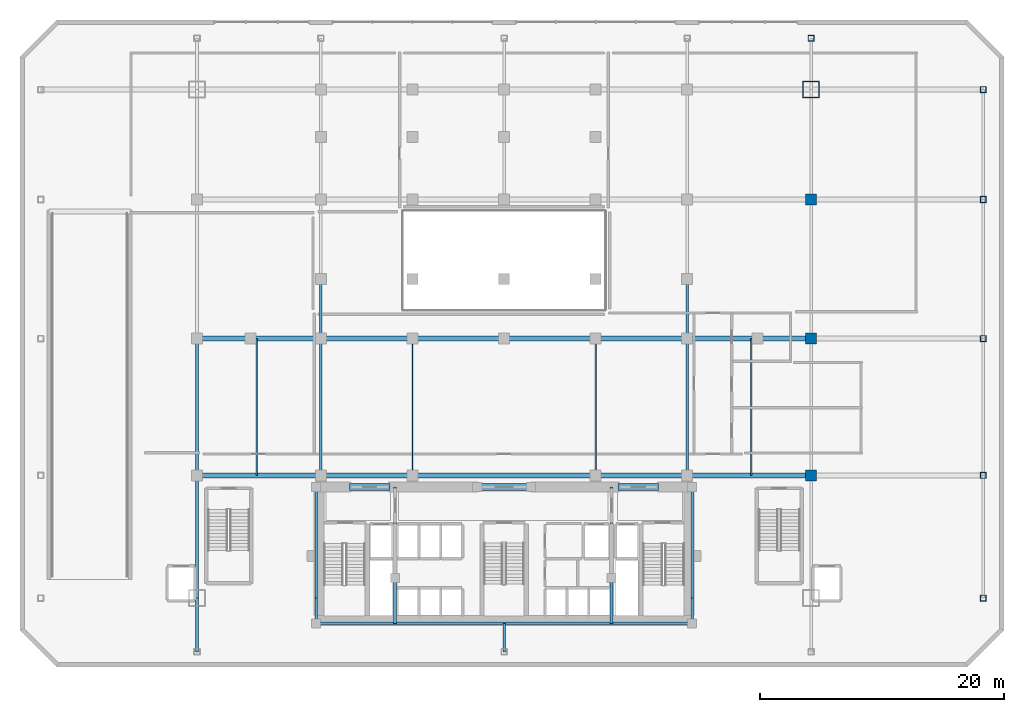
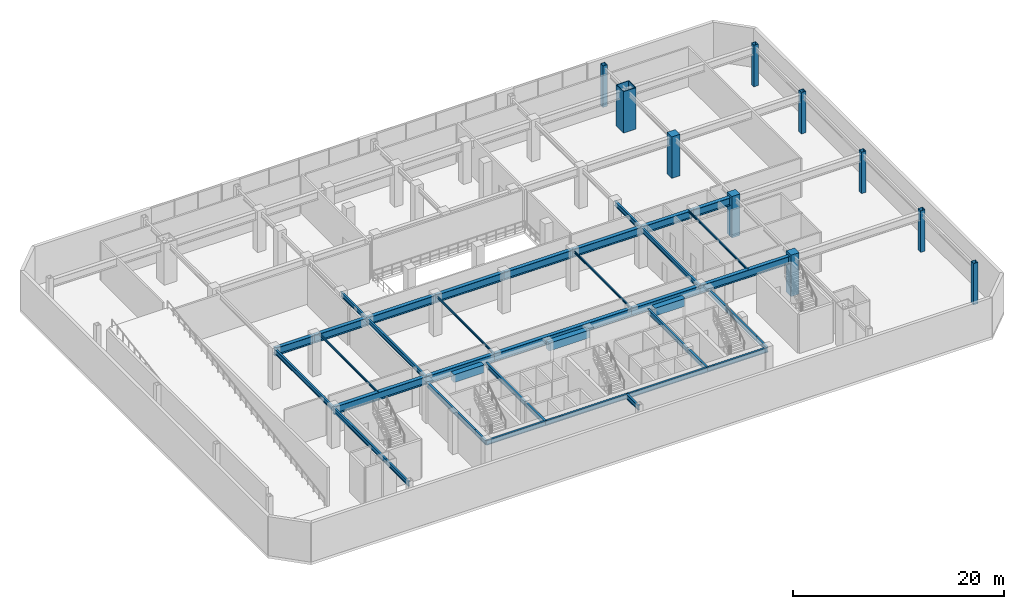
# One storey, part 2 of 16: 39 beams, 10 columns.
"""IFC4 building model written with IfcOpenShell, lengths in metres."""

from ifc_helpers import new_model, si_unit, direction, frame, origin, origin_2d, place, context, subcontext, project, spatial, rectangle, hollow_rectangle, i_section, extrude, material, material_profile, profile_set, type_object, element, save


model = new_model("IFC4")

# Units and contexts
model_context = context("Model", 3, precision=1e-05, world=origin(), true_north=direction((0.0, 1.0)))
body_context = subcontext(model_context, "Body", "Model", "MODEL_VIEW")
ifc_project = project(units=[si_unit("LENGTHUNIT", "METRE"), si_unit("AREAUNIT", "SQUARE_METRE"), si_unit("VOLUMEUNIT", "CUBIC_METRE"), si_unit("PLANEANGLEUNIT", "RADIAN"), si_unit("MASSUNIT", "GRAM", prefix="KILO")], contexts=[model_context])

# Site, building, storey
site_placement = place(None, origin())
site = spatial("IfcSite", under=ifc_project, at=site_placement, CompositionType="ELEMENT")
building_placement = place(site_placement, origin())
building = spatial("IfcBuilding", under=site, at=building_placement, Name="Ventersveld Concourse Tower", CompositionType="ELEMENT")
storey_placement = place(building_placement, frame((0.0, 0.0, 10.199951171875)))
storey = spatial("IfcBuildingStorey", under=building, at=storey_placement, Name="L02", CompositionType="ELEMENT", Elevation=10.199951171875)

# Columns
ifc_material_1 = material(Name="Structural steel S355ML", Category="steel")
ifc_material_profile_1 = material_profile(ifc_material_1, hollow_rectangle(XDim=0.5, YDim=0.5, WallThickness=0.031982421875, at=origin_2d()), Name="BOX 500x500x32")
ifc_profile_set_1 = profile_set([ifc_material_profile_1], Name="Structural steel S355ML")
column_type_1 = type_object("IfcColumnType", Name="COL-BOX500", PredefinedType="COLUMN", material=ifc_profile_set_1)
for number, where, z_axis, x_axis, name in (
    (1, (68.0, 2.35009765625, 0.0), (0.0, 0.0, 1.0), (1.0, 0.0, 0.0), "L02 Podium Perimeter Column 06"),
    (2, (68.0, 12.39990234375, 0.0), (0.0, 0.0, 1.0), (1.0, 0.0, 0.0), "L02 Podium Perimeter Column 07"),
    (3, (68.0, 23.60009765625, 0.0), (0.0, 0.0, 1.0), (1.0, 0.0, 0.0), "L02 Podium Perimeter Column 08"),
    (4, (68.0, 35.0, 0.0), (0.0, 0.0, 1.0), (1.0, 0.0, 0.0), "L02 Podium Perimeter Column 09"),
    (5, (68.0, 44.0, 0.0), (0.0, 0.0, 1.0), (1.0, 0.0, 0.0), "L02 Podium Perimeter Column 10"),
    (6, (53.89990234375, 48.199951171875, 0.0), (0.0, 0.0, 1.0), (1.0, 0.0, 0.0), "L02 Podium Perimeter Column 15"),
):
    element("IfcColumn", number, at=place(storey_placement, frame(where, z_axis=z_axis, x_axis=x_axis)), inside=storey, type_object=column_type_1, Name=name, PredefinedType="COLUMN", context=body_context, shape_type="SweptSolid", body=[
        extrude(hollow_rectangle(XDim=0.5, YDim=0.5, WallThickness=0.031982421875, at=origin_2d()), origin(), (0.0, 0.0, 1.0), 4.800048828125),
    ])
ifc_material_2 = material(Name="Concrete C60/75", Category="concrete")
ifc_material_profile_2 = material_profile(ifc_material_2, rectangle(XDim=0.89990234375, YDim=0.89990234375, at=origin_2d()), Name="RC 900x900")
ifc_profile_set_2 = profile_set([ifc_material_profile_2], Name="Concrete C60/75")
column_type_2 = type_object("IfcColumnType", Name="COL-RC900", PredefinedType="COLUMN", material=ifc_profile_set_2)
for number, where, z_axis, x_axis, name in (
    (7, (53.89990234375, 12.39990234375, 0.0), (0.0, 0.0, 1.0), (1.0, 0.0, 0.0), "L02 Station Grid Column G8B-C"),
    (8, (53.89990234375, 23.60009765625, 0.0), (0.0, 0.0, 1.0), (1.0, 0.0, 0.0), "L02 Station Grid Column G8B-D"),
    (9, (53.89990234375, 35.0, 0.0), (0.0, 0.0, 1.0), (1.0, 0.0, 0.0), "L02 Station Grid Column G8B-E"),
):
    element("IfcColumn", number, at=place(storey_placement, frame(where, z_axis=z_axis, x_axis=x_axis)), inside=storey, type_object=column_type_2, Name=name, PredefinedType="COLUMN", context=body_context, shape_type="SweptSolid", body=[
        extrude(rectangle(XDim=0.89990234375, YDim=0.89990234375, at=origin_2d()), origin(), (0.0, 0.0, 1.0), 4.800048828125),
    ])
ifc_material_3 = material(Name="Structural steel S460ML", Category="steel")
ifc_material_profile_3 = material_profile(ifc_material_3, hollow_rectangle(XDim=1.39990234375, YDim=1.39990234375, WallThickness=0.080078125, at=origin_2d()), Name="BOX 1400x1400x80")
ifc_profile_set_3 = profile_set([ifc_material_profile_3], Name="Structural steel S460ML")
column_type_3 = type_object("IfcColumnType", Name="MC-1400", PredefinedType="USERDEFINED", material=ifc_profile_set_3)
column_placement = place(storey_placement, frame((53.89990234375, 44.0, 0.0), z_axis=(0.0, 0.0, 1.0), x_axis=(1.0, 0.0, 0.0)))
element("IfcColumn", 10, at=column_placement, inside=storey, type_object=column_type_3, Name="L02 Corner Mega-Column MC-NE", ObjectType="MEGA_COLUMN", PredefinedType="USERDEFINED", context=body_context, shape_type="SweptSolid", body=[
    extrude(hollow_rectangle(XDim=1.39990234375, YDim=1.39990234375, WallThickness=0.080078125, at=origin_2d()), origin(), (0.0, 0.0, 1.0), 4.800048828125),
])

# Beams
ifc_material_profile_4 = material_profile(ifc_material_2, rectangle(XDim=0.60009765625, YDim=0.89990234375, at=origin_2d()), Name="RC 600x900")
ifc_profile_set_4 = profile_set([ifc_material_profile_4], Name="Concrete C60/75")
beam_type_1 = type_object("IfcBeamType", Name="CB-RC600x900L", PredefinedType="LINTEL", material=ifc_profile_set_4)
beam_1_placement = place(storey_placement, frame((16.10009765625, 11.449951171875, 4.070068359375), z_axis=(1.0, 0.0, 0.0), x_axis=(0.0, 1.0, 0.0)))
element("IfcBeam", 11, at=beam_1_placement, inside=storey, type_object=beam_type_1, Name="L02 Core Coupling Lintel Beam 1", PredefinedType="LINTEL", context=body_context, shape_type="SweptSolid", body=[
    extrude(rectangle(XDim=0.60009765625, YDim=0.89990234375, at=origin_2d()), origin(), (0.0, 0.0, 1.0), 3.2998046875),
])
beam_2_placement = place(storey_placement, frame((26.5, 11.449951171875, 4.070068359375), z_axis=(1.0, 0.0, 0.0), x_axis=(0.0, 1.0, 0.0)))
element("IfcBeam", 12, at=beam_2_placement, inside=storey, type_object=beam_type_1, Name="L02 Core Coupling Lintel Beam 2", PredefinedType="LINTEL", context=body_context, shape_type="SweptSolid", body=[
    extrude(rectangle(XDim=0.60009765625, YDim=0.89990234375, at=origin_2d()), origin(), (0.0, 0.0, 1.0), 4.5),
])
beam_3_placement = place(storey_placement, frame((38.10009765625, 11.449951171875, 4.070068359375), z_axis=(1.0, 0.0, 0.0), x_axis=(0.0, 1.0, 0.0)))
element("IfcBeam", 13, at=beam_3_placement, inside=storey, type_object=beam_type_1, Name="L02 Core Coupling Lintel Beam 3", PredefinedType="LINTEL", context=body_context, shape_type="SweptSolid", body=[
    extrude(rectangle(XDim=0.60009765625, YDim=0.89990234375, at=origin_2d()), origin(), (0.0, 0.0, 1.0), 3.2998046875),
])
ifc_material_4 = material(Name="Structural steel S355J2", Category="steel")
ifc_material_profile_5 = material_profile(ifc_material_4, i_section(OverallWidth=0.39990234375, OverallDepth=0.89990234375, WebThickness=0.02197265625, FlangeThickness=0.035888671875, at=origin_2d()), Name="PG 900x400x36")
ifc_profile_set_5 = profile_set([ifc_material_profile_5], Name="Structural steel S355J2")
beam_type_2 = type_object("IfcBeamType", Name="GRD-PG900", PredefinedType="USERDEFINED", material=ifc_profile_set_5)
beam_4_placement = place(storey_placement, frame((3.60009765625, 12.39990234375, 4.070068359375), z_axis=(1.0, 0.0, 0.0), x_axis=(0.0, 1.0, 0.0)))
element("IfcBeam", 14, at=beam_4_placement, inside=storey, type_object=beam_type_2, Name="L02 Podium Primary Girder Y=12.4m", ObjectType="GIRDER", PredefinedType="USERDEFINED", context=body_context, shape_type="SweptSolid", body=[
    extrude(i_section(OverallWidth=0.39990234375, OverallDepth=0.89990234375, WebThickness=0.02197265625, FlangeThickness=0.035888671875, at=origin_2d()), origin(), (0.0, 0.0, 1.0), 10.14990234375),
])
beam_5_placement = place(storey_placement, frame((13.75, 12.39990234375, 4.070068359375), z_axis=(1.0, 0.0, 0.0), x_axis=(0.0, 1.0, 0.0)))
element("IfcBeam", 15, at=beam_5_placement, inside=storey, type_object=beam_type_2, Name="L02 Podium Primary Girder Y=12.4m", ObjectType="GIRDER", PredefinedType="USERDEFINED", context=body_context, shape_type="SweptSolid", body=[
    extrude(i_section(OverallWidth=0.39990234375, OverallDepth=0.89990234375, WebThickness=0.02197265625, FlangeThickness=0.035888671875, at=origin_2d()), origin(), (0.0, 0.0, 1.0), 7.5),
])
beam_6_placement = place(storey_placement, frame((21.25, 12.39990234375, 4.070068359375), z_axis=(1.0, 0.0, 0.0), x_axis=(0.0, 1.0, 0.0)))
element("IfcBeam", 16, at=beam_6_placement, inside=storey, type_object=beam_type_2, Name="L02 Podium Primary Girder Y=12.4m", ObjectType="GIRDER", PredefinedType="USERDEFINED", context=body_context, shape_type="SweptSolid", body=[
    extrude(i_section(OverallWidth=0.39990234375, OverallDepth=0.89990234375, WebThickness=0.02197265625, FlangeThickness=0.035888671875, at=origin_2d()), origin(), (0.0, 0.0, 1.0), 15.0),
])
beam_7_placement = place(storey_placement, frame((36.25, 12.39990234375, 4.070068359375), z_axis=(1.0, 0.0, 0.0), x_axis=(0.0, 1.0, 0.0)))
element("IfcBeam", 17, at=beam_7_placement, inside=storey, type_object=beam_type_2, Name="L02 Podium Primary Girder Y=12.4m", ObjectType="GIRDER", PredefinedType="USERDEFINED", context=body_context, shape_type="SweptSolid", body=[
    extrude(i_section(OverallWidth=0.39990234375, OverallDepth=0.89990234375, WebThickness=0.02197265625, FlangeThickness=0.035888671875, at=origin_2d()), origin(), (0.0, 0.0, 1.0), 7.5),
])
beam_8_placement = place(storey_placement, frame((43.75, 12.39990234375, 4.070068359375), z_axis=(1.0, 0.0, 0.0), x_axis=(0.0, 1.0, 0.0)))
element("IfcBeam", 18, at=beam_8_placement, inside=storey, type_object=beam_type_2, Name="L02 Podium Primary Girder Y=12.4m", ObjectType="GIRDER", PredefinedType="USERDEFINED", context=body_context, shape_type="SweptSolid", body=[
    extrude(i_section(OverallWidth=0.39990234375, OverallDepth=0.89990234375, WebThickness=0.02197265625, FlangeThickness=0.035888671875, at=origin_2d()), origin(), (0.0, 0.0, 1.0), 10.14990234375),
])
beam_9_placement = place(storey_placement, frame((3.60009765625, 23.60009765625, 4.070068359375), z_axis=(1.0, 0.0, 0.0), x_axis=(0.0, 1.0, 0.0)))
element("IfcBeam", 19, at=beam_9_placement, inside=storey, type_object=beam_type_2, Name="L02 Podium Primary Girder Y=23.6m", ObjectType="GIRDER", PredefinedType="USERDEFINED", context=body_context, shape_type="SweptSolid", body=[
    extrude(i_section(OverallWidth=0.39990234375, OverallDepth=0.89990234375, WebThickness=0.02197265625, FlangeThickness=0.035888671875, at=origin_2d()), origin(), (0.0, 0.0, 1.0), 4.39990234375),
])
beam_10_placement = place(storey_placement, frame((8.0, 23.60009765625, 4.070068359375), z_axis=(1.0, 0.0, 0.0), x_axis=(0.0, 1.0, 0.0)))
element("IfcBeam", 20, at=beam_10_placement, inside=storey, type_object=beam_type_2, Name="L02 Podium Primary Girder Y=23.6m", ObjectType="GIRDER", PredefinedType="USERDEFINED", context=body_context, shape_type="SweptSolid", body=[
    extrude(i_section(OverallWidth=0.39990234375, OverallDepth=0.89990234375, WebThickness=0.02197265625, FlangeThickness=0.035888671875, at=origin_2d()), origin(), (0.0, 0.0, 1.0), 5.75),
])
for number, where, z_axis, x_axis, name in (
    (21, (13.75, 23.60009765625, 4.070068359375), (1.0, 0.0, 0.0), (0.0, 1.0, 0.0), "L02 Podium Primary Girder Y=23.6m"),
    (22, (21.25, 23.60009765625, 4.070068359375), (1.0, 0.0, 0.0), (0.0, 1.0, 0.0), "L02 Podium Primary Girder Y=23.6m"),
    (23, (28.75, 23.60009765625, 4.070068359375), (1.0, 0.0, 0.0), (0.0, 1.0, 0.0), "L02 Podium Primary Girder Y=23.6m"),
    (24, (36.25, 23.60009765625, 4.070068359375), (1.0, 0.0, 0.0), (0.0, 1.0, 0.0), "L02 Podium Primary Girder Y=23.6m"),
):
    element("IfcBeam", number, at=place(storey_placement, frame(where, z_axis=z_axis, x_axis=x_axis)), inside=storey, type_object=beam_type_2, Name=name, ObjectType="GIRDER", PredefinedType="USERDEFINED", context=body_context, shape_type="SweptSolid", body=[
        extrude(i_section(OverallWidth=0.39990234375, OverallDepth=0.89990234375, WebThickness=0.02197265625, FlangeThickness=0.035888671875, at=origin_2d()), origin(), (0.0, 0.0, 1.0), 7.5),
    ])
beam_11_placement = place(storey_placement, frame((43.75, 23.60009765625, 4.070068359375), z_axis=(1.0, 0.0, 0.0), x_axis=(0.0, 1.0, 0.0)))
element("IfcBeam", 25, at=beam_11_placement, inside=storey, type_object=beam_type_2, Name="L02 Podium Primary Girder Y=23.6m", ObjectType="GIRDER", PredefinedType="USERDEFINED", context=body_context, shape_type="SweptSolid", body=[
    extrude(i_section(OverallWidth=0.39990234375, OverallDepth=0.89990234375, WebThickness=0.02197265625, FlangeThickness=0.035888671875, at=origin_2d()), origin(), (0.0, 0.0, 1.0), 5.75),
])
beam_12_placement = place(storey_placement, frame((49.5, 23.60009765625, 4.070068359375), z_axis=(1.0, 0.0, 0.0), x_axis=(0.0, 1.0, 0.0)))
element("IfcBeam", 26, at=beam_12_placement, inside=storey, type_object=beam_type_2, Name="L02 Podium Primary Girder Y=23.6m", ObjectType="GIRDER", PredefinedType="USERDEFINED", context=body_context, shape_type="SweptSolid", body=[
    extrude(i_section(OverallWidth=0.39990234375, OverallDepth=0.89990234375, WebThickness=0.02197265625, FlangeThickness=0.035888671875, at=origin_2d()), origin(), (0.0, 0.0, 1.0), 4.39990234375),
])
ifc_material_profile_6 = material_profile(ifc_material_4, i_section(OverallWidth=0.209228515625, OverallDepth=0.533203125, WebThickness=0.010009765625, FlangeThickness=0.015625, FilletRadius=0.0126953125, at=origin_2d()), Name="UB 533x210x92")
ifc_profile_set_6 = profile_set([ifc_material_profile_6], Name="Structural steel S355J2")
beam_type_3 = type_object("IfcBeamType", Name="GRD-UB533", PredefinedType="T_BEAM", material=ifc_profile_set_6)
beam_13_placement = place(storey_placement, frame((3.60009765625, -2.050048828125, 4.253662109375), z_axis=(0.0, 1.0, 0.0), x_axis=(-1.0, 0.0, 0.0)))
element("IfcBeam", 27, at=beam_13_placement, inside=storey, type_object=beam_type_3, Name="L02 Podium N-S Girder X=3.60m", PredefinedType="T_BEAM", context=body_context, shape_type="SweptSolid", body=[
    extrude(i_section(OverallWidth=0.209228515625, OverallDepth=0.533203125, WebThickness=0.010009765625, FlangeThickness=0.015625, FilletRadius=0.0126953125, at=origin_2d()), origin(), (0.0, 0.0, 1.0), 4.400146484375),
])
beam_14_placement = place(storey_placement, frame((3.60009765625, 2.35009765625, 4.253662109375), z_axis=(0.0, 1.0, 0.0), x_axis=(-1.0, 0.0, 0.0)))
element("IfcBeam", 28, at=beam_14_placement, inside=storey, type_object=beam_type_3, Name="L02 Podium N-S Girder X=3.60m", PredefinedType="T_BEAM", context=body_context, shape_type="SweptSolid", body=[
    extrude(i_section(OverallWidth=0.209228515625, OverallDepth=0.533203125, WebThickness=0.010009765625, FlangeThickness=0.015625, FilletRadius=0.0126953125, at=origin_2d()), origin(), (0.0, 0.0, 1.0), 10.0498046875),
])
for number, where, z_axis, x_axis, name in (
    (29, (3.60009765625, 12.39990234375, 4.253662109375), (0.0, 1.0, 0.0), (-1.0, 0.0, 0.0), "L02 Podium N-S Girder X=3.60m"),
    (30, (13.75, 12.39990234375, 4.253662109375), (0.0, 1.0, 0.0), (-1.0, 0.0, 0.0), "L02 Podium N-S Girder X=13.75m"),
):
    element("IfcBeam", number, at=place(storey_placement, frame(where, z_axis=z_axis, x_axis=x_axis)), inside=storey, type_object=beam_type_3, Name=name, PredefinedType="T_BEAM", context=body_context, shape_type="SweptSolid", body=[
        extrude(i_section(OverallWidth=0.209228515625, OverallDepth=0.533203125, WebThickness=0.010009765625, FlangeThickness=0.015625, FilletRadius=0.0126953125, at=origin_2d()), origin(), (0.0, 0.0, 1.0), 11.2001953125),
    ])
beam_15_placement = place(storey_placement, frame((13.75, 23.60009765625, 4.253662109375), z_axis=(0.0, 1.0, 0.0), x_axis=(-1.0, 0.0, 0.0)))
element("IfcBeam", 31, at=beam_15_placement, inside=storey, type_object=beam_type_3, Name="L02 Podium N-S Girder X=13.75m", PredefinedType="T_BEAM", context=body_context, shape_type="SweptSolid", body=[
    extrude(i_section(OverallWidth=0.209228515625, OverallDepth=0.533203125, WebThickness=0.010009765625, FlangeThickness=0.015625, FilletRadius=0.0126953125, at=origin_2d()), origin(), (0.0, 0.0, 1.0), 4.89990234375),
])
beam_16_placement = place(storey_placement, frame((28.75, -2.050048828125, 4.253662109375), z_axis=(0.0, 1.0, 0.0), x_axis=(-1.0, 0.0, 0.0)))
element("IfcBeam", 32, at=beam_16_placement, inside=storey, type_object=beam_type_3, Name="L02 Podium N-S Girder X=28.75m", PredefinedType="T_BEAM", context=body_context, shape_type="SweptSolid", body=[
    extrude(i_section(OverallWidth=0.209228515625, OverallDepth=0.533203125, WebThickness=0.010009765625, FlangeThickness=0.015625, FilletRadius=0.0126953125, at=origin_2d()), origin(), (0.0, 0.0, 1.0), 2.330078125),
])
beam_17_placement = place(storey_placement, frame((43.75, 12.39990234375, 4.253662109375), z_axis=(0.0, 1.0, 0.0), x_axis=(-1.0, 0.0, 0.0)))
element("IfcBeam", 33, at=beam_17_placement, inside=storey, type_object=beam_type_3, Name="L02 Podium N-S Girder X=43.75m", PredefinedType="T_BEAM", context=body_context, shape_type="SweptSolid", body=[
    extrude(i_section(OverallWidth=0.209228515625, OverallDepth=0.533203125, WebThickness=0.010009765625, FlangeThickness=0.015625, FilletRadius=0.0126953125, at=origin_2d()), origin(), (0.0, 0.0, 1.0), 11.2001953125),
])
beam_18_placement = place(storey_placement, frame((43.75, 23.60009765625, 4.253662109375), z_axis=(0.0, 1.0, 0.0), x_axis=(-1.0, 0.0, 0.0)))
element("IfcBeam", 34, at=beam_18_placement, inside=storey, type_object=beam_type_3, Name="L02 Podium N-S Girder X=43.75m", PredefinedType="T_BEAM", context=body_context, shape_type="SweptSolid", body=[
    extrude(i_section(OverallWidth=0.209228515625, OverallDepth=0.533203125, WebThickness=0.010009765625, FlangeThickness=0.015625, FilletRadius=0.0126953125, at=origin_2d()), origin(), (0.0, 0.0, 1.0), 4.89990234375),
])
ifc_material_profile_7 = material_profile(ifc_material_4, i_section(OverallWidth=0.2119140625, OverallDepth=0.54443359375, WebThickness=0.0126953125, FlangeThickness=0.021240234375, FilletRadius=0.0126953125, at=origin_2d()), Name="UB 533x210x122")
ifc_profile_set_7 = profile_set([ifc_material_profile_7], Name="Structural steel S355J2")
beam_type_4 = type_object("IfcBeamType", Name="GRD-UB533H", PredefinedType="T_BEAM", material=ifc_profile_set_7)
beam_19_placement = place(storey_placement, frame((13.35009765625, 0.280029296875, 4.247802734375), z_axis=(0.0, 1.0, 0.0), x_axis=(-1.0, 0.0, 0.0)))
element("IfcBeam", 35, at=beam_19_placement, inside=storey, type_object=beam_type_4, Name="L02 Core West Tie Beam S", PredefinedType="T_BEAM", context=body_context, shape_type="SweptSolid", body=[
    extrude(i_section(OverallWidth=0.2119140625, OverallDepth=0.54443359375, WebThickness=0.0126953125, FlangeThickness=0.021240234375, FilletRadius=0.0126953125, at=origin_2d()), origin(), (0.0, 0.0, 1.0), 2.070068359375),
])
beam_20_placement = place(storey_placement, frame((13.35009765625, 2.35009765625, 4.247802734375), z_axis=(0.0, 1.0, 0.0), x_axis=(-1.0, 0.0, 0.0)))
element("IfcBeam", 36, at=beam_20_placement, inside=storey, type_object=beam_type_4, Name="L02 Core West Tie Beam N", PredefinedType="T_BEAM", context=body_context, shape_type="SweptSolid", body=[
    extrude(i_section(OverallWidth=0.2119140625, OverallDepth=0.54443359375, WebThickness=0.0126953125, FlangeThickness=0.021240234375, FilletRadius=0.0126953125, at=origin_2d()), origin(), (0.0, 0.0, 1.0), 9.099853515625),
])
beam_21_placement = place(storey_placement, frame((44.14990234375, 0.280029296875, 4.247802734375), z_axis=(0.0, 1.0, 0.0), x_axis=(-1.0, 0.0, 0.0)))
element("IfcBeam", 37, at=beam_21_placement, inside=storey, type_object=beam_type_4, Name="L02 Core East Tie Beam S", PredefinedType="T_BEAM", context=body_context, shape_type="SweptSolid", body=[
    extrude(i_section(OverallWidth=0.2119140625, OverallDepth=0.54443359375, WebThickness=0.0126953125, FlangeThickness=0.021240234375, FilletRadius=0.0126953125, at=origin_2d()), origin(), (0.0, 0.0, 1.0), 2.070068359375),
])
beam_22_placement = place(storey_placement, frame((44.14990234375, 2.35009765625, 4.247802734375), z_axis=(0.0, 1.0, 0.0), x_axis=(-1.0, 0.0, 0.0)))
element("IfcBeam", 38, at=beam_22_placement, inside=storey, type_object=beam_type_4, Name="L02 Core East Tie Beam N", PredefinedType="T_BEAM", context=body_context, shape_type="SweptSolid", body=[
    extrude(i_section(OverallWidth=0.2119140625, OverallDepth=0.54443359375, WebThickness=0.0126953125, FlangeThickness=0.021240234375, FilletRadius=0.0126953125, at=origin_2d()), origin(), (0.0, 0.0, 1.0), 9.099853515625),
])
beam_23_placement = place(storey_placement, frame((13.35009765625, 0.280029296875, 4.247802734375), z_axis=(1.0, 0.0, 0.0), x_axis=(0.0, 1.0, 0.0)))
element("IfcBeam", 39, at=beam_23_placement, inside=storey, type_object=beam_type_4, Name="L02 Core South Tie Beam W", PredefinedType="T_BEAM", context=body_context, shape_type="SweptSolid", body=[
    extrude(i_section(OverallWidth=0.2119140625, OverallDepth=0.54443359375, WebThickness=0.0126953125, FlangeThickness=0.021240234375, FilletRadius=0.0126953125, at=origin_2d()), origin(), (0.0, 0.0, 1.0), 6.469970703125),
])
beam_24_placement = place(storey_placement, frame((19.820068359375, 0.280029296875, 4.247802734375), z_axis=(1.0, 0.0, 0.0), x_axis=(0.0, 1.0, 0.0)))
element("IfcBeam", 40, at=beam_24_placement, inside=storey, type_object=beam_type_4, Name="L02 Core South Tie Beam C", PredefinedType="T_BEAM", context=body_context, shape_type="SweptSolid", body=[
    extrude(i_section(OverallWidth=0.2119140625, OverallDepth=0.54443359375, WebThickness=0.0126953125, FlangeThickness=0.021240234375, FilletRadius=0.0126953125, at=origin_2d()), origin(), (0.0, 0.0, 1.0), 17.72998046875),
])
beam_25_placement = place(storey_placement, frame((37.550048828125, 0.280029296875, 4.247802734375), z_axis=(1.0, 0.0, 0.0), x_axis=(0.0, 1.0, 0.0)))
element("IfcBeam", 41, at=beam_25_placement, inside=storey, type_object=beam_type_4, Name="L02 Core South Tie Beam E", PredefinedType="T_BEAM", context=body_context, shape_type="SweptSolid", body=[
    extrude(i_section(OverallWidth=0.2119140625, OverallDepth=0.54443359375, WebThickness=0.0126953125, FlangeThickness=0.021240234375, FilletRadius=0.0126953125, at=origin_2d()), origin(), (0.0, 0.0, 1.0), 6.599853515625),
])
beam_26_placement = place(storey_placement, frame((19.820068359375, 0.280029296875, 4.247802734375), z_axis=(0.0, 1.0, 0.0), x_axis=(-1.0, 0.0, 0.0)))
element("IfcBeam", 42, at=beam_26_placement, inside=storey, type_object=beam_type_4, Name="L02 Core Spine N-S Tie Beam W1", PredefinedType="T_BEAM", context=body_context, shape_type="SweptSolid", body=[
    extrude(i_section(OverallWidth=0.2119140625, OverallDepth=0.54443359375, WebThickness=0.0126953125, FlangeThickness=0.021240234375, FilletRadius=0.0126953125, at=origin_2d()), origin(), (0.0, 0.0, 1.0), 3.719970703125),
])
beam_27_placement = place(storey_placement, frame((19.820068359375, 4.0, 4.247802734375), z_axis=(0.0, 1.0, 0.0), x_axis=(-1.0, 0.0, 0.0)))
element("IfcBeam", 43, at=beam_27_placement, inside=storey, type_object=beam_type_4, Name="L02 Core Spine N-S Tie Beam W2", PredefinedType="T_BEAM", context=body_context, shape_type="SweptSolid", body=[
    extrude(i_section(OverallWidth=0.2119140625, OverallDepth=0.54443359375, WebThickness=0.0126953125, FlangeThickness=0.021240234375, FilletRadius=0.0126953125, at=origin_2d()), origin(), (0.0, 0.0, 1.0), 7.449951171875),
])
beam_28_placement = place(storey_placement, frame((37.550048828125, 0.280029296875, 4.247802734375), z_axis=(0.0, 1.0, 0.0), x_axis=(-1.0, 0.0, 0.0)))
element("IfcBeam", 44, at=beam_28_placement, inside=storey, type_object=beam_type_4, Name="L02 Core Spine N-S Tie Beam E1", PredefinedType="T_BEAM", context=body_context, shape_type="SweptSolid", body=[
    extrude(i_section(OverallWidth=0.2119140625, OverallDepth=0.54443359375, WebThickness=0.0126953125, FlangeThickness=0.021240234375, FilletRadius=0.0126953125, at=origin_2d()), origin(), (0.0, 0.0, 1.0), 3.719970703125),
])
beam_29_placement = place(storey_placement, frame((37.550048828125, 4.0, 4.247802734375), z_axis=(0.0, 1.0, 0.0), x_axis=(-1.0, 0.0, 0.0)))
element("IfcBeam", 45, at=beam_29_placement, inside=storey, type_object=beam_type_4, Name="L02 Core Spine N-S Tie Beam E2", PredefinedType="T_BEAM", context=body_context, shape_type="SweptSolid", body=[
    extrude(i_section(OverallWidth=0.2119140625, OverallDepth=0.54443359375, WebThickness=0.0126953125, FlangeThickness=0.021240234375, FilletRadius=0.0126953125, at=origin_2d()), origin(), (0.0, 0.0, 1.0), 7.449951171875),
])
ifc_material_profile_8 = material_profile(ifc_material_4, i_section(OverallWidth=0.1201171875, OverallDepth=0.239990234375, WebThickness=0.006103515625, FlangeThickness=0.009765625, FilletRadius=0.014892578125, at=origin_2d()), Name="IPE 240")
ifc_profile_set_8 = profile_set([ifc_material_profile_8], Name="Structural steel S355J2")
beam_type_5 = type_object("IfcBeamType", Name="JST-IPE240", PredefinedType="JOIST", material=ifc_profile_set_8)
for number, where, z_axis, x_axis, name in (
    (46, (8.5, 12.39990234375, 4.400146484375), (0.0, 1.0, 0.0), (-1.0, 0.0, 0.0), "L02 Podium Floor Joist X=8.50m"),
    (47, (21.25, 12.39990234375, 4.400146484375), (0.0, 1.0, 0.0), (-1.0, 0.0, 0.0), "L02 Podium Floor Joist X=21.25m"),
    (48, (36.25, 12.39990234375, 4.400146484375), (0.0, 1.0, 0.0), (-1.0, 0.0, 0.0), "L02 Podium Floor Joist X=36.25m"),
    (49, (49.0, 12.39990234375, 4.400146484375), (0.0, 1.0, 0.0), (-1.0, 0.0, 0.0), "L02 Podium Floor Joist X=49.00m"),
):
    element("IfcBeam", number, at=place(storey_placement, frame(where, z_axis=z_axis, x_axis=x_axis)), inside=storey, type_object=beam_type_5, Name=name, PredefinedType="JOIST", context=body_context, shape_type="SweptSolid", body=[
        extrude(i_section(OverallWidth=0.1201171875, OverallDepth=0.239990234375, WebThickness=0.006103515625, FlangeThickness=0.009765625, FilletRadius=0.014892578125, at=origin_2d()), origin(), (0.0, 0.0, 1.0), 11.2001953125),
    ])

save(model, "model.ifc")
